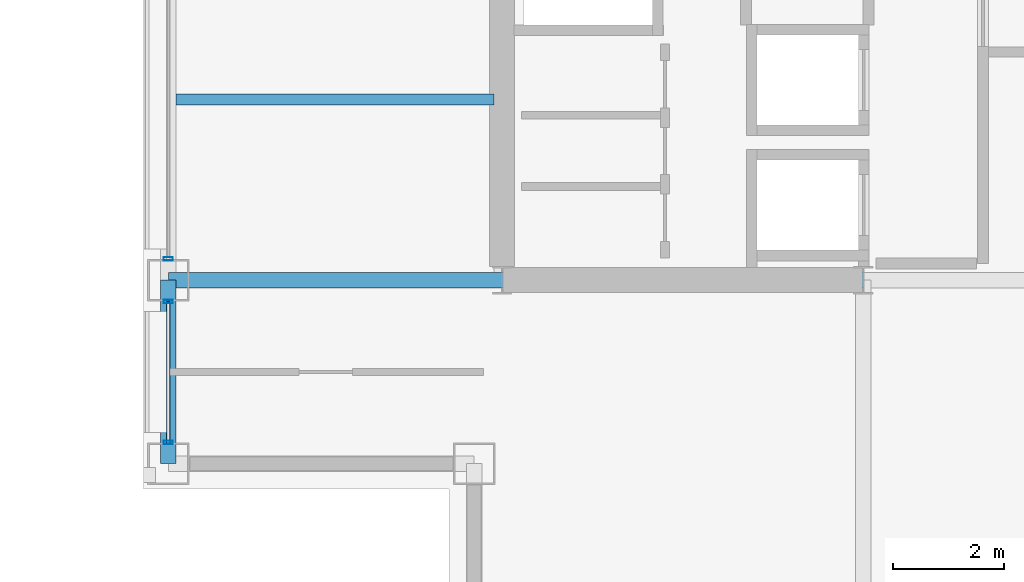
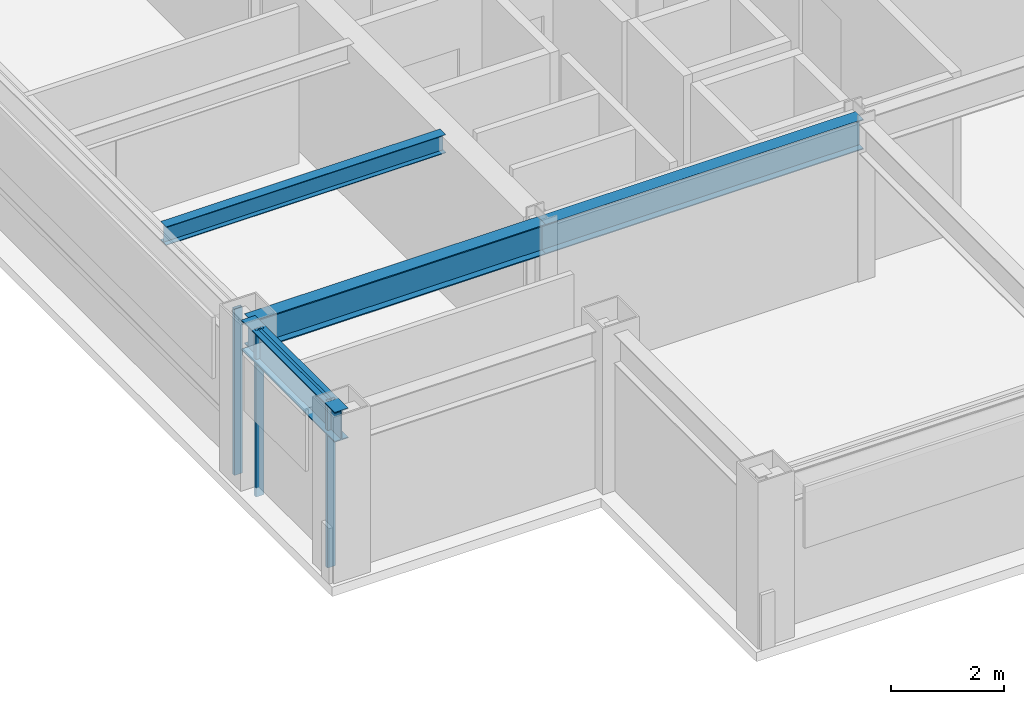
# One storey, part 3 of 30: 4 beams, 4 members, 2 elements without a shape of their own.
"""IFC4 building model written with IfcOpenShell, lengths in metres."""

import ifcopenshell
import ifcopenshell.guid

model = None  # the IFC model being written
_history = None  # IfcOwnerHistory: only IFC2X3 demands one
_inside = {}  # id of a spatial element -> (the spatial element, [elements in it])
_under = {}  # id of a project, library or spatial element -> (it, [spatial elements below it])
_declared = {}  # id of a project -> (the project, [libraries it declares])
_typed = {}  # id of a type object -> (the type object, [elements of that type])
_made_of = {}  # id of a material, layer set ... -> (it, [elements and type objects made of it])


def new_model(schema):
    """Start an empty IFC model of exactly this schema.

    Asked for "IFC4X3", IfcOpenShell would pick the latest addendum, in which some entities
    have other attributes; the version numbers below select the first issue.
    IFC2X3 requires an IfcOwnerHistory on every rooted entity: one is made here for all.
    """
    global model, _history
    if schema == "IFC4X3":
        model = ifcopenshell.file(schema_version=(4, 3, 0, 0))
    else:
        model = ifcopenshell.file(schema=schema)
    _inside.clear()
    _under.clear()
    _declared.clear()
    _typed.clear()
    _made_of.clear()
    _history = None
    if model.schema == "IFC2X3":
        org = make("IfcOrganization", Name="unknown")
        user = make(
            "IfcPersonAndOrganization",
            ThePerson=make("IfcPerson", FamilyName="unknown"),
            TheOrganization=org,
        )
        app = make(
            "IfcApplication",
            ApplicationDeveloper=org,
            Version="unknown",
            ApplicationFullName="unknown",
            ApplicationIdentifier="unknown",
        )
        _history = make(
            "IfcOwnerHistory",
            OwningUser=user,
            OwningApplication=app,
            ChangeAction="ADDED",
            CreationDate=0,
        )
    return model


def make(cls, **values):
    """One entity of the class cls with the attributes given. An attribute that is None is left unset."""
    return model.create_entity(
        cls, **{name: value for name, value in values.items() if value is not None}
    )


def rooted(cls, **values):
    """An entity with a GlobalId (a new one), such as an element, a storey or a relation."""
    return make(cls, GlobalId=ifcopenshell.guid.new(), OwnerHistory=_history, **values)


def si_unit(unit_type, name, prefix=None):
    """IfcSIUnit, for example si_unit("LENGTHUNIT", "METRE", prefix="MILLI")."""
    return make("IfcSIUnit", UnitType=unit_type, Prefix=prefix, Name=name)


def assignment(units):
    """IfcUnitAssignment: the units of a project."""
    return None if units is None else make("IfcUnitAssignment", Units=units)


def point(xyz):
    """IfcCartesianPoint."""
    return None if xyz is None else make("IfcCartesianPoint", Coordinates=xyz)


def direction(xyz):
    """IfcDirection."""
    return None if xyz is None else make("IfcDirection", DirectionRatios=xyz)


def frame(location, z_axis=None, x_axis=None):
    """IfcAxis2Placement3D, a coordinate frame: its origin and axes. An axis left out is left unset."""
    return make(
        "IfcAxis2Placement3D",
        Location=point(location),
        Axis=direction(z_axis),
        RefDirection=direction(x_axis),
    )


def frame_2d(location, x_axis=None):
    """IfcAxis2Placement2D, a coordinate frame in the plane: its origin and x axis."""
    return make(
        "IfcAxis2Placement2D", Location=point(location), RefDirection=direction(x_axis)
    )


def origin():
    """The frame at (0, 0, 0) with its axes left unset."""
    return frame((0.0, 0.0, 0.0))


def origin_2d():
    """The frame at (0, 0) in the plane with its x axis left unset."""
    return frame_2d((0.0, 0.0))


def place(relative_to, where):
    """IfcLocalPlacement: puts the frame where relative to a parent placement (None: the world)."""
    return make(
        "IfcLocalPlacement", PlacementRelTo=relative_to, RelativePlacement=where
    )


def context(
    kind, dimensions, precision=None, world=None, true_north=None, identifier=None
):
    """IfcGeometricRepresentationContext, for example the 3D "Model" context."""
    return make(
        "IfcGeometricRepresentationContext",
        ContextIdentifier=identifier,
        ContextType=kind,
        CoordinateSpaceDimension=dimensions,
        Precision=precision,
        WorldCoordinateSystem=world,
        TrueNorth=true_north,
    )


def subcontext(parent, identifier, kind, view, scale=None):
    """IfcGeometricRepresentationSubContext, for example "Body" below "Model"."""
    return make(
        "IfcGeometricRepresentationSubContext",
        ContextIdentifier=identifier,
        ContextType=kind,
        ParentContext=parent,
        TargetScale=scale,
        TargetView=view,
    )


def project(units=None, contexts=None):
    """IfcProject with its units and contexts."""
    return rooted(
        "IfcProject",
        Name="project",
        RepresentationContexts=contexts,
        UnitsInContext=assignment(units),
    )


def spatial(cls, under=None, at=None, **own):
    """A site, building, storey or space (cls), placed at a placement, below another one or the project."""
    s = rooted(cls, ObjectPlacement=at, **own)
    if under is not None:
        _under.setdefault(under.id(), (under, []))[1].append(s)
    return s


def profile(cls, at=None, kind="AREA", **sizes):
    """A parametric profile (cls). Its sizes go by their IFC names, for example OverallWidth=200.0."""
    return make(cls, ProfileType=kind, Position=at, **sizes)


def hollow_rectangle(**sizes):
    """IfcRectangleHollowProfileDef."""
    return profile("IfcRectangleHollowProfileDef", **sizes)


def i_section(**sizes):
    """IfcIShapeProfileDef."""
    return profile("IfcIShapeProfileDef", **sizes)


def extrude(swept, where, along, depth):
    """IfcExtrudedAreaSolid: the profile swept, set in the frame where, extruded along a direction by depth."""
    return make(
        "IfcExtrudedAreaSolid",
        SweptArea=swept,
        Position=where,
        ExtrudedDirection=direction(along),
        Depth=depth,
    )


def shape(context_of_items, identifier, shape_type, items):
    """IfcShapeRepresentation: the items that make up one representation, for example the "Body"."""
    return make(
        "IfcShapeRepresentation",
        ContextOfItems=context_of_items,
        RepresentationIdentifier=identifier,
        RepresentationType=shape_type,
        Items=items,
    )


def material(Name=None, Category=None):
    """IfcMaterial."""
    return make("IfcMaterial", Name=Name, Category=Category)


def layer(
    of_material, thickness, ventilated=None, Name=None, Category=None, Priority=None
):
    """IfcMaterialLayer: one layer of a wall or slab, of a material (None: an air gap)."""
    return make(
        "IfcMaterialLayer",
        Material=of_material,
        LayerThickness=thickness,
        IsVentilated=ventilated,
        Name=Name,
        Category=Category,
        Priority=Priority,
    )


def layer_set(layers, Name=None):
    """IfcMaterialLayerSet."""
    return make("IfcMaterialLayerSet", MaterialLayers=layers, LayerSetName=Name)


def material_profile(
    of_material, cross_section, Name=None, Category=None, Priority=None
):
    """IfcMaterialProfile: a cross section and its material."""
    return make(
        "IfcMaterialProfile",
        Name=Name,
        Material=of_material,
        Profile=cross_section,
        Priority=Priority,
        Category=Category,
    )


def profile_set(profiles, Name=None, composite=None):
    """IfcMaterialProfileSet."""
    return make(
        "IfcMaterialProfileSet",
        Name=Name,
        MaterialProfiles=profiles,
        CompositeProfile=composite,
    )


def made_of(thing, what):
    """Note that an element or type object is made of a material, layer set ...; save() writes the relation."""
    if what is not None:
        _made_of.setdefault(what.id(), (what, []))[1].append(thing)
    return thing


def type_object(cls, material=None, **own):
    """A type object (cls), such as IfcWallType, which elements share."""
    return made_of(rooted(cls, **own), material)


def element(
    cls,
    number,
    at=None,
    inside=None,
    cuts=None,
    type_object=None,
    material=None,
    context=None,
    identifier="Body",
    shape_type=None,
    held_by="IfcProductDefinitionShape",
    body=None,
    shapes=None,
    **own,
):
    """One element of the class cls, such as IfcWall. Its Tag is "e" and its number.

    at: its placement. inside: the storey or other place that contains it. cuts: it is an
    opening in that element (IfcRelVoidsElement). A single representation is given by context,
    identifier, shape_type and body (its items); several are given by shapes. held_by: the class
    of the entity that holds the representations. save() writes the other relations.
    """
    e = rooted(cls, Tag="e%d" % number, ObjectPlacement=at, **own)
    if body is not None:
        shapes = [shape(context, identifier, shape_type, body)]
    if shapes is not None:
        e.Representation = make(held_by, Representations=shapes)
    if inside is not None:
        _inside.setdefault(inside.id(), (inside, []))[1].append(e)
    if cuts is not None:
        rooted(
            "IfcRelVoidsElement", RelatingBuildingElement=cuts, RelatedOpeningElement=e
        )
    if type_object is not None:
        _typed.setdefault(type_object.id(), (type_object, []))[1].append(e)
    return made_of(e, material)


def aggregate(whole, parts):
    """IfcRelAggregates: a whole, such as a stair, and the parts it consists of."""
    return rooted("IfcRelAggregates", RelatingObject=whole, RelatedObjects=parts)


def save(model, path):
    """Write the relations noted so far, then the file.

    IfcRelAggregates (storeys below a building ...), IfcRelContainedInSpatialStructure (elements
    in a storey), IfcRelDefinesByType, IfcRelAssociatesMaterial and IfcRelDeclares: one each for
    every whole, place, type object, material and project.
    """
    for whole, parts in _under.values():
        aggregate(whole, parts)
    for where, things in _inside.values():
        rooted(
            "IfcRelContainedInSpatialStructure",
            RelatedElements=things,
            RelatingStructure=where,
        )
    for kind, things in _typed.values():
        rooted("IfcRelDefinesByType", RelatedObjects=things, RelatingType=kind)
    for what, things in _made_of.values():
        rooted("IfcRelAssociatesMaterial", RelatedObjects=things, RelatingMaterial=what)
    for by, libraries in _declared.values():
        rooted("IfcRelDeclares", RelatingContext=by, RelatedDefinitions=libraries)
    model.write(path)


model = new_model("IFC4")

# Units and contexts
model_context = context("Model", 3, precision=1e-05, world=origin(), true_north=direction((0.0, 1.0)))
body_context = subcontext(model_context, "Body", "Model", "MODEL_VIEW")
ifc_project = project(units=[si_unit("LENGTHUNIT", "METRE"), si_unit("AREAUNIT", "SQUARE_METRE"), si_unit("VOLUMEUNIT", "CUBIC_METRE"), si_unit("PLANEANGLEUNIT", "RADIAN"), si_unit("MASSUNIT", "GRAM", prefix="KILO")], contexts=[model_context])

# Site, building, storey
site_placement = place(None, origin())
site = spatial("IfcSite", under=ifc_project, at=site_placement, CompositionType="ELEMENT")
building_placement = place(site_placement, origin())
building = spatial("IfcBuilding", under=site, at=building_placement, Name="Brelmoor Portico Tower", CompositionType="ELEMENT")
storey_placement = place(building_placement, frame((0.0, 0.0, 169.5)))
storey = spatial("IfcBuildingStorey", under=building, at=storey_placement, Name="L44", CompositionType="ELEMENT", Elevation=169.5)

# Beams
ifc_material_1 = material(Name="Steel Q355B", Category="steel")
ifc_material_profile_1 = material_profile(ifc_material_1, i_section(OverallWidth=0.199951171875, OverallDepth=0.39990234375, WebThickness=0.008056640625, FlangeThickness=0.012939453125, at=origin_2d()), Name="HN 400x200x8x13")
ifc_profile_set_1 = profile_set([ifc_material_profile_1], Name="Steel Q355B")
beam_type_1 = type_object("IfcBeamType", Name="BM-JS-400", PredefinedType="JOIST", material=ifc_profile_set_1)
beam_1_placement = place(storey_placement, frame((-20.409912109375, -6.5, 3.199951171875), z_axis=(1.0, 0.0, 0.0), x_axis=(0.0, 1.0, 0.0)))
element("IfcBeam", 1, at=beam_1_placement, inside=storey, type_object=beam_type_1, Name="L44 Secondary Wing Joist JS-W05", PredefinedType="JOIST", context=body_context, shape_type="SweptSolid", body=[
    extrude(i_section(OverallWidth=0.199951171875, OverallDepth=0.39990234375, WebThickness=0.008056640625, FlangeThickness=0.012939453125, at=origin_2d()), origin(), (0.0, 0.0, 1.0), 5.719970703125),
])
ifc_material_profile_2 = material_profile(ifc_material_1, i_section(OverallWidth=0.280029296875, OverallDepth=0.64990234375, WebThickness=0.012939453125, FlangeThickness=0.02197265625, at=origin_2d()), Name="HN 650x280x13x22")
ifc_profile_set_2 = profile_set([ifc_material_profile_2], Name="Steel Q355B")
beam_type_2 = type_object("IfcBeamType", Name="BM-PG-650", PredefinedType="BEAM", material=ifc_profile_set_2)
beam_2_placement = place(storey_placement, frame((-20.550048828125, -9.75, 3.074951171875), z_axis=(1.0, 0.0, 0.0), x_axis=(0.0, 1.0, 0.0)))
element("IfcBeam", 2, at=beam_2_placement, inside=storey, type_object=beam_type_2, Name="L44 Primary Floor Girder PG-11", PredefinedType="BEAM", context=body_context, shape_type="SweptSolid", body=[
    extrude(i_section(OverallWidth=0.280029296875, OverallDepth=0.64990234375, WebThickness=0.012939453125, FlangeThickness=0.02197265625, at=origin_2d()), origin(), (0.0, 0.0, 1.0), 6.0),
])
beam_3_placement = place(storey_placement, frame((-14.550048828125, -9.75, 3.074951171875), z_axis=(1.0, 0.0, 0.0), x_axis=(0.0, 1.0, 0.0)))
element("IfcBeam", 3, at=beam_3_placement, inside=storey, type_object=beam_type_2, Name="L44 Primary Floor Girder PG-12", PredefinedType="BEAM", context=body_context, shape_type="SweptSolid", body=[
    extrude(i_section(OverallWidth=0.280029296875, OverallDepth=0.64990234375, WebThickness=0.012939453125, FlangeThickness=0.02197265625, at=origin_2d()), origin(), (0.0, 0.0, 1.0), 6.5),
])
ifc_material_profile_3 = material_profile(ifc_material_1, i_section(OverallWidth=0.280029296875, OverallDepth=0.64990234375, WebThickness=0.012939453125, FlangeThickness=0.02197265625, at=origin_2d()), Name="HN 650x280x13x22")
ifc_profile_set_3 = profile_set([ifc_material_profile_3], Name="Steel Q355B")
beam_type_3 = type_object("IfcBeamType", Name="BM-SP-650", PredefinedType="SPANDREL", material=ifc_profile_set_3)
beam_4_placement = place(storey_placement, frame((-20.550048828125, -13.050048828125, 3.074951171875), z_axis=(0.0, 1.0, 0.0), x_axis=(-1.0, 0.0, 0.0)))
element("IfcBeam", 4, at=beam_4_placement, inside=storey, type_object=beam_type_3, Name="L44 Perimeter Spandrel Beam SP-11", PredefinedType="SPANDREL", context=body_context, shape_type="SweptSolid", body=[
    extrude(i_section(OverallWidth=0.280029296875, OverallDepth=0.64990234375, WebThickness=0.012939453125, FlangeThickness=0.02197265625, at=origin_2d()), origin(), (0.0, 0.0, 1.0), 3.300048828125),
])

# Curtain wall, members
ifc_material_2 = material(Name="Anodised Aluminium Alloy 6063-T6", Category="aluminium")
ifc_layer_1 = layer(ifc_material_2, 0.179931640625)
ifc_layer_set_1 = layer_set([ifc_layer_1], Name="Anodised Aluminium Alloy 6063-T6")
curtain_wall_type_1 = type_object("IfcCurtainWallType", Name="CW-TOWER-Z3-XB", PredefinedType="NOTDEFINED", material=ifc_layer_set_1)
curtain_wall_1_placement = place(storey_placement, origin())
curtain_wall_1 = element("IfcCurtainWall", 5, at=curtain_wall_1_placement, inside=storey, type_object=curtain_wall_type_1, Name="L44 Curtain Wall CW-L44-3L-1", PredefinedType="NOTDEFINED")
ifc_material_profile_4 = material_profile(ifc_material_2, hollow_rectangle(XDim=0.06494140625, YDim=0.1650390625, WallThickness=0.00390625, at=origin_2d()), Name="ALU MULLION 65x165")
ifc_profile_set_4 = profile_set([ifc_material_profile_4], Name="Anodised Aluminium Alloy 6063-T6")
member_type_1 = type_object("IfcMemberType", Name="MB-CW-MULL-165", PredefinedType="MULLION", material=ifc_profile_set_4)
member_1_placement = place(storey_placement, frame((-20.550048828125, -12.6650390625, -0.199951171875), z_axis=(0.0, 0.0, 1.0), x_axis=(0.0, 1.0, 0.0)))
member_1 = element("IfcMember", 6, at=member_1_placement, type_object=member_type_1, Name="CW-L44-3L-1 Mullion 00", PredefinedType="MULLION", context=body_context, shape_type="SweptSolid", body=[
    extrude(hollow_rectangle(XDim=0.06494140625, YDim=0.1650390625, WallThickness=0.00390625, at=origin_2d()), origin(), (0.0, 0.0, 1.0), 3.599853515625),
])
member_2_placement = place(storey_placement, frame((-20.550048828125, -10.135009765625, -0.199951171875), z_axis=(0.0, 0.0, 1.0), x_axis=(0.0, 1.0, 0.0)))
member_2 = element("IfcMember", 7, at=member_2_placement, type_object=member_type_1, Name="CW-L44-3L-1 Mullion 01", PredefinedType="MULLION", context=body_context, shape_type="SweptSolid", body=[
    extrude(hollow_rectangle(XDim=0.06494140625, YDim=0.1650390625, WallThickness=0.00390625, at=origin_2d()), origin(), (0.0, 0.0, 1.0), 3.599853515625),
])

# Curtain wall, member
ifc_layer_2 = layer(ifc_material_2, 0.179931640625)
ifc_layer_set_2 = layer_set([ifc_layer_2], Name="Anodised Aluminium Alloy 6063-T6")
curtain_wall_type_2 = type_object("IfcCurtainWallType", Name="CW-TOWER-Z3", PredefinedType="NOTDEFINED", material=ifc_layer_set_2)
curtain_wall_2_placement = place(storey_placement, origin())
curtain_wall_2 = element("IfcCurtainWall", 8, at=curtain_wall_2_placement, inside=storey, type_object=curtain_wall_type_2, Name="L44 Curtain Wall CW-L44-3L-2", PredefinedType="NOTDEFINED")
member_3_placement = place(storey_placement, frame((-20.550048828125, -9.364990234375, -0.199951171875), z_axis=(0.0, 0.0, 1.0), x_axis=(0.0, 1.0, 0.0)))
member_3 = element("IfcMember", 9, at=member_3_placement, type_object=member_type_1, Name="CW-L44-3L-2 Mullion 00", PredefinedType="MULLION", context=body_context, shape_type="SweptSolid", body=[
    extrude(hollow_rectangle(XDim=0.06494140625, YDim=0.1650390625, WallThickness=0.00390625, at=origin_2d()), origin(), (0.0, 0.0, 1.0), 3.599853515625),
])
aggregate(curtain_wall_2, [member_3])

# Member
ifc_material_profile_5 = material_profile(ifc_material_2, hollow_rectangle(XDim=0.06005859375, YDim=0.125, WallThickness=0.00341796875, at=origin_2d()), Name="ALU TRANSOM 60x125")
ifc_profile_set_5 = profile_set([ifc_material_profile_5], Name="Anodised Aluminium Alloy 6063-T6")
member_type_2 = type_object("IfcMemberType", Name="MB-CW-TRAN-125", PredefinedType="USERDEFINED", material=ifc_profile_set_5)
member_4_placement = place(storey_placement, frame((-20.550048828125, -12.6650390625, 3.33740234375), z_axis=(0.0, 1.0, 0.0), x_axis=(-1.0, 0.0, 0.0)))
member_4 = element("IfcMember", 10, at=member_4_placement, type_object=member_type_2, Name="CW-L44-3L-1 Transom 1-00", ObjectType="TRANSOM", PredefinedType="USERDEFINED", context=body_context, shape_type="SweptSolid", body=[
    extrude(hollow_rectangle(XDim=0.06005859375, YDim=0.125, WallThickness=0.00341796875, at=origin_2d()), origin(), (0.0, 0.0, 1.0), 2.530029296875),
])

aggregate(curtain_wall_1, [member_1, member_2, member_4])

save(model, "model.ifc")
